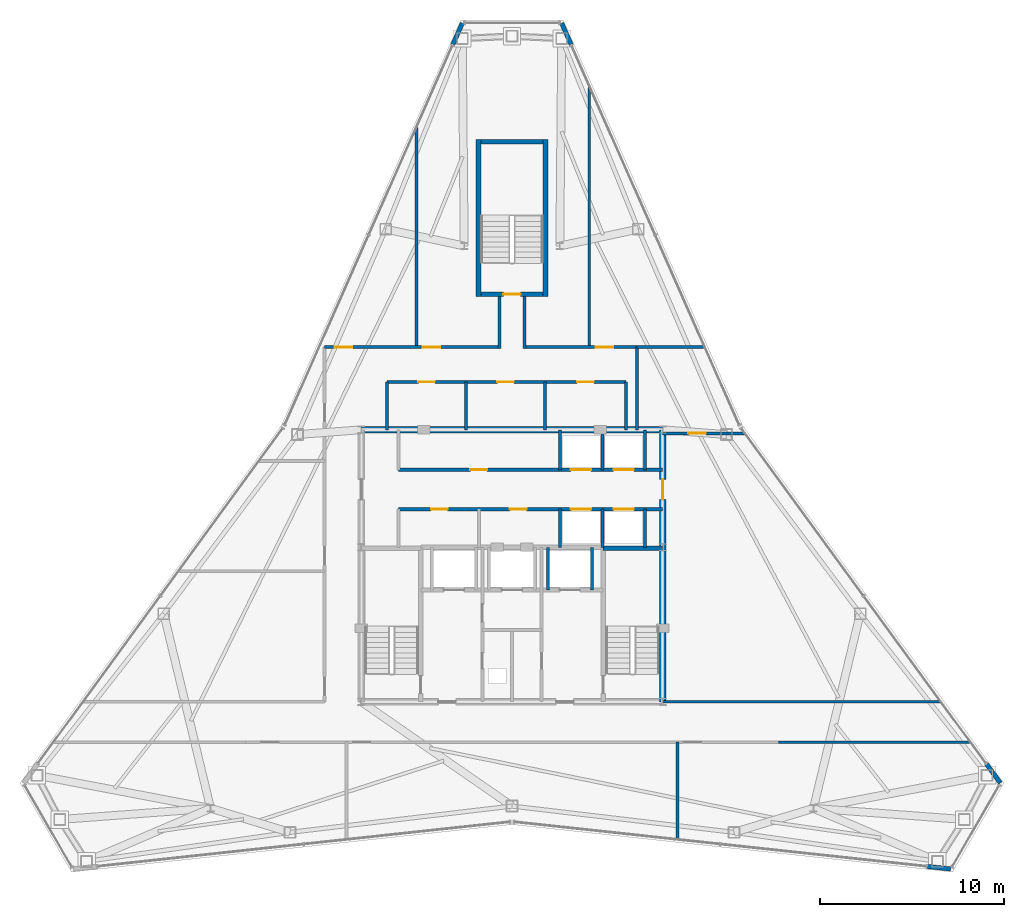
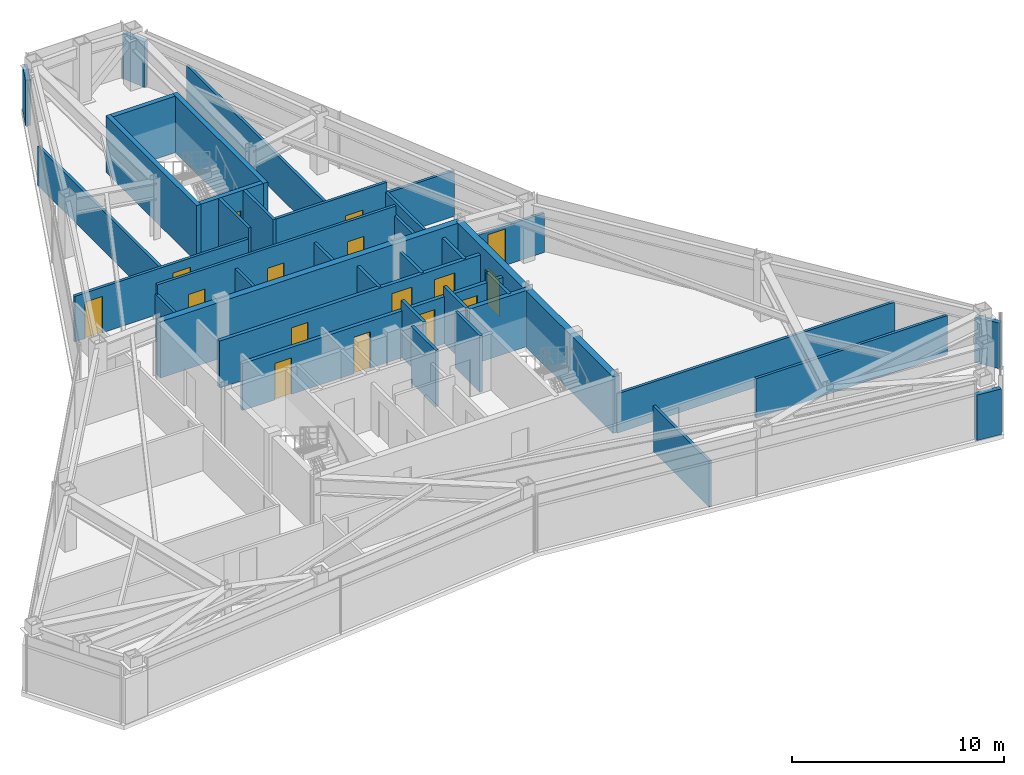
# One storey, part 10 of 12: 38 walls, 16 doors, 16 openings.
"""IFC4 building model written with IfcOpenShell, lengths in metres."""

from ifc_helpers import new_model, si_unit, direction, frame, frame_2d, origin, place, context, subcontext, project, spatial, rectangle, extrude, material, layer, layer_set, type_object, element, fill, save


model = new_model("IFC4")

# Units and contexts
model_context = context("Model", 3, precision=1e-05, world=origin(), true_north=direction((0.0, 1.0)))
body_context = subcontext(model_context, "Body", "Model", "MODEL_VIEW")
ifc_project = project(units=[si_unit("LENGTHUNIT", "METRE"), si_unit("AREAUNIT", "SQUARE_METRE"), si_unit("VOLUMEUNIT", "CUBIC_METRE"), si_unit("PLANEANGLEUNIT", "RADIAN"), si_unit("MASSUNIT", "GRAM", prefix="KILO")], contexts=[model_context])

# Site, building, storey
site_placement = place(None, origin())
site = spatial("IfcSite", under=ifc_project, at=site_placement, CompositionType="ELEMENT")
building_placement = place(site_placement, origin())
building = spatial("IfcBuilding", under=site, at=building_placement, Name="Varakhsha Concourse Tower", CompositionType="ELEMENT")
storey_placement = place(building_placement, frame((0.0, 0.0, 272.5)))
storey = spatial("IfcBuildingStorey", under=building, at=storey_placement, Name="L77", CompositionType="ELEMENT", Elevation=272.5)

# Wall
ifc_material_1 = material(Name="Concrete fc 65 MPa", Category="concrete")
ifc_layer_1 = layer(ifc_material_1, 0.35009765625, Name="WL-CORE-350")
ifc_layer_set_1 = layer_set([ifc_layer_1], Name="Concrete fc 65 MPa")
wall_type_1 = type_object("IfcWallType", Name="WL-CORE-350", PredefinedType="SHEAR", material=ifc_layer_set_1)
wall_1_placement = place(storey_placement, frame((31.800048828125, 31.199951171875, 0.0), z_axis=(0.0, 0.0, 1.0), x_axis=(1.0, 0.0, 0.0)))
element("IfcWall", 1, at=wall_1_placement, inside=storey, type_object=wall_type_1, Name="L77 Wall CWALL-N-L77", PredefinedType="SHEAR", context=body_context, shape_type="SweptSolid", body=[
    extrude(rectangle(XDim=16.39990234375, YDim=0.35009765625, at=frame_2d((8.199951171875, 0.0))), origin(), (0.0, 0.0, 1.0), 3.25),
])

# Wall, opening, door
wall_2_placement = place(storey_placement, frame((48.199951171875, 16.39990234375, 0.0), z_axis=(0.0, 0.0, 1.0), x_axis=(0.0, 1.0, 0.0)))
wall_2 = element("IfcWall", 2, at=wall_2_placement, inside=storey, type_object=wall_type_1, Name="L77 Wall CWALL-E-L77", PredefinedType="SHEAR", context=body_context, shape_type="SweptSolid", body=[
    extrude(rectangle(XDim=14.800048828125, YDim=0.35009765625, at=frame_2d((7.39990234375, 0.0))), origin(), (0.0, 0.0, 1.0), 3.25),
])
opening_1_placement = place(wall_2_placement, frame((11.0, 0.0, 0.0)))
opening_1 = element("IfcOpeningElement", 3, at=opening_1_placement, cuts=wall_2, Name="Opening DL-01", PredefinedType="OPENING", context=body_context, shape_type="SweptSolid", body=[
    extrude(rectangle(XDim=1.10009765625, YDim=2.14990234375, at=frame_2d((0.550048828125, 1.074951171875))), frame((0.0, 0.18505859375, 0.0), z_axis=(0.0, -1.0, 0.0), x_axis=(1.0, 0.0, 0.0)), (0.0, 0.0, 1.0), 0.3701171875),
])
ifc_material_2 = material(Name="Anodised Bronze Architectural Aluminium AA 6063-T6", Category="aluminium")
door_type_1 = type_object("IfcDoorType", Name="DR-LOB-1100", OperationType="NOTDEFINED", PredefinedType="DOOR", material=ifc_material_2)
door_1_placement = place(opening_1_placement, origin())
door_1 = element("IfcDoor", 4, at=door_1_placement, inside=storey, type_object=door_type_1, Name="L77 Lift Lobby East Concourse Door", OperationType="SINGLE_SWING_RIGHT", OverallHeight=2.14990234375, OverallWidth=1.10009765625, PredefinedType="DOOR", context=body_context, shape_type="SweptSolid", body=[
    extrude(rectangle(XDim=1.10009765625, YDim=2.14990234375, at=frame_2d((0.550048828125, 1.074951171875))), frame((0.0, 0.02490234375, 0.0), z_axis=(0.0, -1.0, 0.0), x_axis=(1.0, 0.0, 0.0)), (0.0, 0.0, 1.0), 0.050048828125),
])
fill(opening_1, door_1)

# Walls
ifc_material_3 = material(Name="Concrete fc 45 MPa", Category="concrete")
ifc_layer_2 = layer(ifc_material_3, 0.239990234375, Name="WL-EXT-CRN-240")
ifc_layer_set_2 = layer_set([ifc_layer_2], Name="Concrete fc 45 MPa")
wall_type_2 = type_object("IfcWallType", Name="WL-EXT-CRN-240", PredefinedType="SHEAR", material=ifc_layer_set_2)
wall_3_placement = place(storey_placement, frame((37.299072265625, 53.3251953125, 0.0), z_axis=(0.0, 0.0, 1.0), x_axis=(-0.404283482114, -0.9146337333, 0.0)))
element("IfcWall", 5, at=wall_3_placement, inside=storey, type_object=wall_type_2, Name="L77 Wind-Corner Shoulder Wall F2", PredefinedType="SHEAR", context=body_context, shape_type="SweptSolid", body=[
    extrude(rectangle(XDim=1.2705078125, YDim=0.239990234375, at=frame_2d((0.63525390625, 0.0))), origin(), (0.0, 0.0, 1.0), 2.623046875),
])
for number, where, z_axis, x_axis, name in (
    (6, (62.609619140625, 7.4345703125, 0.0), (0.0, 0.0, 1.0), (0.994223700758, -0.107327689113, 0.0), "L77 Wind-Corner Shoulder Wall F6"),
    (7, (66.572998046875, 11.977294921875, 0.0), (0.0, 0.0, 1.0), (-0.589920134733, 0.807461599481, 0.0), "L77 Wind-Corner Shoulder Wall F8"),
):
    element("IfcWall", number, at=place(storey_placement, frame(where, z_axis=z_axis, x_axis=x_axis)), inside=storey, type_object=wall_type_2, Name=name, PredefinedType="SHEAR", context=body_context, shape_type="SweptSolid", body=[
        extrude(rectangle(XDim=1.269287109375, YDim=0.239990234375, at=frame_2d((0.634765625, 0.0))), origin(), (0.0, 0.0, 1.0), 2.623046875),
    ])
wall_4_placement = place(storey_placement, frame((43.214599609375, 52.1630859375, 0.0), z_axis=(0.0, 0.0, 1.0), x_axis=(-0.404283482114, 0.9146337333, 0.0)))
element("IfcWall", 8, at=wall_4_placement, inside=storey, type_object=wall_type_2, Name="L77 Wind-Corner Shoulder Wall F9", PredefinedType="SHEAR", context=body_context, shape_type="SweptSolid", body=[
    extrude(rectangle(XDim=1.2705078125, YDim=0.239990234375, at=frame_2d((0.63525390625, 0.0))), origin(), (0.0, 0.0, 1.0), 2.623046875),
])

# Wall, openings, doors
ifc_material_4 = material(Name="Fire-Rated Type X Gypsum Partition Assembly", Category="gypsum")
ifc_layer_3 = layer(ifc_material_4, 0.14990234375, Name="WL-PART-150")
ifc_layer_set_3 = layer_set([ifc_layer_3], Name="Fire-Rated Type X Gypsum Partition Assembly")
wall_type_3 = type_object("IfcWallType", Name="WL-PART-150", PredefinedType="PARTITIONING", material=ifc_layer_set_3)
wall_5_placement = place(storey_placement, frame((33.199951171875, 33.800048828125, 0.0), z_axis=(0.0, 0.0, 1.0), x_axis=(1.0, 0.0, 0.0)))
wall_5 = element("IfcWall", 9, at=wall_5_placement, inside=storey, type_object=wall_type_3, Name="L77 Wall NBOH-N-L77", PredefinedType="PARTITIONING", context=body_context, shape_type="SweptSolid", body=[
    extrude(rectangle(XDim=13.0, YDim=0.14990234375, at=frame_2d((6.5, 0.0))), origin(), (0.0, 0.0, 1.0), 3.25),
])
opening_2_placement = place(wall_5_placement, frame((1.699951171875, 0.0, 0.0)))
opening_2 = element("IfcOpeningElement", 10, at=opening_2_placement, cuts=wall_5, Name="Opening DF-06", PredefinedType="OPENING", context=body_context, shape_type="SweptSolid", body=[
    extrude(rectangle(XDim=0.89990234375, YDim=2.10009765625, at=frame_2d((0.449951171875, 1.050048828125))), frame((0.0, 0.0849609375, 0.0), z_axis=(0.0, -1.0, 0.0), x_axis=(1.0, 0.0, 0.0)), (0.0, 0.0, 1.0), 0.169921875),
])
opening_3_placement = place(wall_5_placement, frame((6.0, 0.0, 0.0)))
opening_3 = element("IfcOpeningElement", 11, at=opening_3_placement, cuts=wall_5, Name="Opening DF-06", PredefinedType="OPENING", context=body_context, shape_type="SweptSolid", body=[
    extrude(rectangle(XDim=0.89990234375, YDim=2.10009765625, at=frame_2d((0.449951171875, 1.050048828125))), frame((0.0, 0.0849609375, 0.0), z_axis=(0.0, -1.0, 0.0), x_axis=(1.0, 0.0, 0.0)), (0.0, 0.0, 1.0), 0.169921875),
])
opening_4_placement = place(wall_5_placement, frame((10.35009765625, 0.0, 0.0)))
opening_4 = element("IfcOpeningElement", 12, at=opening_4_placement, cuts=wall_5, Name="Opening DF-06", PredefinedType="OPENING", context=body_context, shape_type="SweptSolid", body=[
    extrude(rectangle(XDim=0.89990234375, YDim=2.10009765625, at=frame_2d((0.449951171875, 1.050048828125))), frame((0.0, 0.0849609375, 0.0), z_axis=(0.0, -1.0, 0.0), x_axis=(1.0, 0.0, 0.0)), (0.0, 0.0, 1.0), 0.169921875),
])
ifc_material_5 = material(Name="Hollow Galvanised Steel Fire Door Assembly", Category="steel")
door_type_2 = type_object("IfcDoorType", Name="DR-FD60-900", OperationType="NOTDEFINED", PredefinedType="DOOR", material=ifc_material_5)
door_2_placement = place(opening_2_placement, origin())
door_2 = element("IfcDoor", 13, at=door_2_placement, inside=storey, type_object=door_type_2, Name="L77 Men Restroom WC Door", OperationType="SINGLE_SWING_LEFT", OverallHeight=2.10009765625, OverallWidth=0.89990234375, PredefinedType="DOOR", context=body_context, shape_type="SweptSolid", body=[
    extrude(rectangle(XDim=0.89990234375, YDim=2.10009765625, at=frame_2d((0.449951171875, 1.050048828125))), frame((0.0, 0.02490234375, 0.0), z_axis=(0.0, -1.0, 0.0), x_axis=(1.0, 0.0, 0.0)), (0.0, 0.0, 1.0), 0.050048828125),
])
fill(opening_2, door_2)
door_3_placement = place(opening_3_placement, origin())
door_3 = element("IfcDoor", 14, at=door_3_placement, inside=storey, type_object=door_type_2, Name="L77 Women Restroom WC Door", OperationType="SINGLE_SWING_RIGHT", OverallHeight=2.10009765625, OverallWidth=0.89990234375, PredefinedType="DOOR", context=body_context, shape_type="SweptSolid", body=[
    extrude(rectangle(XDim=0.89990234375, YDim=2.10009765625, at=frame_2d((0.449951171875, 1.050048828125))), frame((0.0, 0.02490234375, 0.0), z_axis=(0.0, -1.0, 0.0), x_axis=(1.0, 0.0, 0.0)), (0.0, 0.0, 1.0), 0.050048828125),
])
fill(opening_3, door_3)
door_4_placement = place(opening_4_placement, origin())
door_4 = element("IfcDoor", 15, at=door_4_placement, inside=storey, type_object=door_type_2, Name="L77 Accessible WC Door", OperationType="SINGLE_SWING_LEFT", OverallHeight=2.10009765625, OverallWidth=0.89990234375, PredefinedType="DOOR", context=body_context, shape_type="SweptSolid", body=[
    extrude(rectangle(XDim=0.89990234375, YDim=2.10009765625, at=frame_2d((0.449951171875, 1.050048828125))), frame((0.0, 0.02490234375, 0.0), z_axis=(0.0, -1.0, 0.0), x_axis=(1.0, 0.0, 0.0)), (0.0, 0.0, 1.0), 0.050048828125),
])
fill(opening_4, door_4)

# Walls
for number, where, z_axis, x_axis, name in (
    (16, (33.199951171875, 31.199951171875, 0.0), (0.0, 0.0, 1.0), (0.0, 1.0, 0.0), "L77 Wall NBOH-W-L77"),
    (17, (46.199951171875, 31.199951171875, 0.0), (0.0, 0.0, 1.0), (0.0, 1.0, 0.0), "L77 Wall NBOH-E-L77"),
    (18, (37.5, 31.199951171875, 0.0), (0.0, 0.0, 1.0), (0.0, 1.0, 0.0), "L77 Wall NBOH-D1-L77"),
    (19, (41.800048828125, 31.199951171875, 0.0), (0.0, 0.0, 1.0), (0.0, 1.0, 0.0), "L77 Wall NBOH-D2-L77"),
):
    element("IfcWall", number, at=place(storey_placement, frame(where, z_axis=z_axis, x_axis=x_axis)), inside=storey, type_object=wall_type_3, Name=name, PredefinedType="PARTITIONING", context=body_context, shape_type="SweptSolid", body=[
        extrude(rectangle(XDim=2.60009765625, YDim=0.14990234375, at=frame_2d((1.300048828125, 0.0))), origin(), (0.0, 0.0, 1.0), 2.705078125),
    ])
wall_6_placement = place(storey_placement, frame((54.5, 14.199951171875, 0.0), z_axis=(0.0, 0.0, 1.0), x_axis=(1.0, 0.0, 0.0)))
element("IfcWall", 20, at=wall_6_placement, inside=storey, type_object=wall_type_3, Name="L77 Wall CRW-SGAL-SE-L77", PredefinedType="PARTITIONING", context=body_context, shape_type="SweptSolid", body=[
    extrude(rectangle(XDim=10.44287109375, YDim=0.14990234375, at=frame_2d((5.221435546875, 0.0))), origin(), (0.0, 0.0, 1.0), 2.264892578125),
])
wall_7_placement = place(storey_placement, frame((48.199951171875, 16.39990234375, 0.0), z_axis=(0.0, 0.0, 1.0), x_axis=(1.0, 0.0, 0.0)))
element("IfcWall", 21, at=wall_7_placement, inside=storey, type_object=wall_type_3, Name="L77 Wall CRW-SGAL-NE-L77", PredefinedType="PARTITIONING", context=body_context, shape_type="SweptSolid", body=[
    extrude(rectangle(XDim=15.135498046875, YDim=0.14990234375, at=frame_2d((7.56787109375, 0.0))), origin(), (0.0, 0.0, 1.0), 2.264892578125),
])

# Wall, openings, doors
wall_8_placement = place(storey_placement, frame((29.800048828125, 35.699951171875, 0.0), z_axis=(0.0, 0.0, 1.0), x_axis=(1.0, 0.0, 0.0)))
wall_8 = element("IfcWall", 22, at=wall_8_placement, inside=storey, type_object=wall_type_3, Name="L77 Wall CRW-N-L77", PredefinedType="PARTITIONING", context=body_context, shape_type="SweptSolid", body=[
    extrude(rectangle(XDim=9.449951171875, YDim=0.14990234375, at=frame_2d((4.72509765625, 0.0))), origin(), (0.0, 0.0, 1.0), 2.6279296875),
])
opening_5_placement = place(wall_8_placement, frame((0.550048828125, 0.0, 0.0)))
opening_5 = element("IfcOpeningElement", 23, at=opening_5_placement, cuts=wall_8, Name="Opening DF-05", PredefinedType="OPENING", context=body_context, shape_type="SweptSolid", body=[
    extrude(rectangle(XDim=0.949951171875, YDim=2.10009765625, at=frame_2d((0.47509765625, 1.050048828125))), frame((0.0, 0.0849609375, 0.0), z_axis=(0.0, -1.0, 0.0), x_axis=(1.0, 0.0, 0.0)), (0.0, 0.0, 1.0), 0.169921875),
])
opening_6_placement = place(wall_8_placement, frame((5.35009765625, 0.0, 0.0)))
opening_6 = element("IfcOpeningElement", 24, at=opening_6_placement, cuts=wall_8, Name="Opening DF-05", PredefinedType="OPENING", context=body_context, shape_type="SweptSolid", body=[
    extrude(rectangle(XDim=0.949951171875, YDim=2.10009765625, at=frame_2d((0.47509765625, 1.050048828125))), frame((0.0, 0.0849609375, 0.0), z_axis=(0.0, -1.0, 0.0), x_axis=(1.0, 0.0, 0.0)), (0.0, 0.0, 1.0), 0.169921875),
])
door_type_3 = type_object("IfcDoorType", Name="DR-FD60-950", OperationType="NOTDEFINED", PredefinedType="DOOR", material=ifc_material_5)
door_5_placement = place(opening_5_placement, origin())
door_5 = element("IfcDoor", 25, at=door_5_placement, inside=storey, type_object=door_type_3, Name="L77 Mountain View Deposition Conference Room L77-N1 Door", OperationType="SINGLE_SWING_LEFT", OverallHeight=2.10009765625, OverallWidth=0.949951171875, PredefinedType="DOOR", context=body_context, shape_type="SweptSolid", body=[
    extrude(rectangle(XDim=0.949951171875, YDim=2.10009765625, at=frame_2d((0.47509765625, 1.050048828125))), frame((0.0, 0.02490234375, 0.0), z_axis=(0.0, -1.0, 0.0), x_axis=(1.0, 0.0, 0.0)), (0.0, 0.0, 1.0), 0.050048828125),
])
fill(opening_5, door_5)
door_6_placement = place(opening_6_placement, origin())
door_6 = element("IfcDoor", 26, at=door_6_placement, inside=storey, type_object=door_type_3, Name="L77 North Senior Partner Chamber L77-N2 Door", OperationType="SINGLE_SWING_RIGHT", OverallHeight=2.10009765625, OverallWidth=0.949951171875, PredefinedType="DOOR", context=body_context, shape_type="SweptSolid", body=[
    extrude(rectangle(XDim=0.949951171875, YDim=2.10009765625, at=frame_2d((0.47509765625, 1.050048828125))), frame((0.0, 0.02490234375, 0.0), z_axis=(0.0, -1.0, 0.0), x_axis=(1.0, 0.0, 0.0)), (0.0, 0.0, 1.0), 0.050048828125),
])
fill(opening_6, door_6)

# Wall, opening, door
wall_9_placement = place(storey_placement, frame((40.75, 35.699951171875, 0.0), z_axis=(0.0, 0.0, 1.0), x_axis=(1.0, 0.0, 0.0)))
wall_9 = element("IfcWall", 27, at=wall_9_placement, inside=storey, type_object=wall_type_3, Name="L77 Wall CRW-N-L77-B", PredefinedType="PARTITIONING", context=body_context, shape_type="SweptSolid", body=[
    extrude(rectangle(XDim=6.050048828125, YDim=0.14990234375, at=frame_2d((3.02490234375, 0.0))), origin(), (0.0, 0.0, 1.0), 3.25),
])
opening_7_placement = place(wall_9_placement, frame((3.800048828125, 0.0, 0.0)))
opening_7 = element("IfcOpeningElement", 28, at=opening_7_placement, cuts=wall_9, Name="Opening DF-05", PredefinedType="OPENING", context=body_context, shape_type="SweptSolid", body=[
    extrude(rectangle(XDim=0.949951171875, YDim=2.10009765625, at=frame_2d((0.47509765625, 1.050048828125))), frame((0.0, 0.0849609375, 0.0), z_axis=(0.0, -1.0, 0.0), x_axis=(1.0, 0.0, 0.0)), (0.0, 0.0, 1.0), 0.169921875),
])
door_7_placement = place(opening_7_placement, origin())
door_7 = element("IfcDoor", 29, at=door_7_placement, inside=storey, type_object=door_type_3, Name="L77 North Senior Partner Chamber L77-N3 Door", OperationType="SINGLE_SWING_LEFT", OverallHeight=2.10009765625, OverallWidth=0.949951171875, PredefinedType="DOOR", context=body_context, shape_type="SweptSolid", body=[
    extrude(rectangle(XDim=0.949951171875, YDim=2.10009765625, at=frame_2d((0.47509765625, 1.050048828125))), frame((0.0, 0.02490234375, 0.0), z_axis=(0.0, -1.0, 0.0), x_axis=(1.0, 0.0, 0.0)), (0.0, 0.0, 1.0), 0.050048828125),
])
fill(opening_7, door_7)

# Walls
wall_10_placement = place(storey_placement, frame((46.800048828125, 31.199951171875, 0.0), z_axis=(0.0, 0.0, 1.0), x_axis=(0.0, 1.0, 0.0)))
element("IfcWall", 30, at=wall_10_placement, inside=storey, type_object=wall_type_3, Name="L77 Wall CRW-NE-L77", PredefinedType="PARTITIONING", context=body_context, shape_type="SweptSolid", body=[
    extrude(rectangle(XDim=4.5, YDim=0.14990234375, at=frame_2d((2.25, 0.0))), origin(), (0.0, 0.0, 1.0), 2.705078125),
])
wall_11_placement = place(storey_placement, frame((49.0, 8.906982421875, 0.0), z_axis=(0.0, 0.0, 1.0), x_axis=(0.0, 1.0, 0.0)))
element("IfcWall", 31, at=wall_11_placement, inside=storey, type_object=wall_type_3, Name="L77 Wall ODIV-S2-L77", PredefinedType="PARTITIONING", context=body_context, shape_type="SweptSolid", body=[
    extrude(rectangle(XDim=5.29296875, YDim=0.14990234375, at=frame_2d((2.646484375, 0.0))), origin(), (0.0, 0.0, 1.0), 2.6279296875),
])
wall_12_placement = place(storey_placement, frame((46.800048828125, 35.699951171875, 0.0), z_axis=(0.0, 0.0, 1.0), x_axis=(1.0, 0.0, 0.0)))
element("IfcWall", 32, at=wall_12_placement, inside=storey, type_object=wall_type_3, Name="L77 Wall ODIV-EBN-L77", PredefinedType="PARTITIONING", context=body_context, shape_type="SweptSolid", body=[
    extrude(rectangle(XDim=3.685791015625, YDim=0.14990234375, at=frame_2d((1.8427734375, 0.0))), origin(), (0.0, 0.0, 1.0), 2.6279296875),
])

# Wall, opening, door
wall_13_placement = place(storey_placement, frame((48.199951171875, 31.0, 0.0), z_axis=(0.0, 0.0, 1.0), x_axis=(1.0, 0.0, 0.0)))
wall_13 = element("IfcWall", 33, at=wall_13_placement, inside=storey, type_object=wall_type_3, Name="L77 Wall ODIV-E1-L77", PredefinedType="PARTITIONING", context=body_context, shape_type="SweptSolid", body=[
    extrude(rectangle(XDim=4.467529296875, YDim=0.14990234375, at=frame_2d((2.23388671875, 0.0))), origin(), (0.0, 0.0, 1.0), 2.264892578125),
])
opening_8_placement = place(wall_13_placement, frame((1.39990234375, 0.0, 0.0)))
opening_8 = element("IfcOpeningElement", 34, at=opening_8_placement, cuts=wall_13, Name="Opening DF-05", PredefinedType="OPENING", context=body_context, shape_type="SweptSolid", body=[
    extrude(rectangle(XDim=0.949951171875, YDim=2.10009765625, at=frame_2d((0.47509765625, 1.050048828125))), frame((0.0, 0.0849609375, 0.0), z_axis=(0.0, -1.0, 0.0), x_axis=(1.0, 0.0, 0.0)), (0.0, 0.0, 1.0), 0.169921875),
])
door_8_placement = place(opening_8_placement, origin())
door_8 = element("IfcDoor", 35, at=door_8_placement, inside=storey, type_object=door_type_3, Name="L77 East Suite Interconnect Door 1", OperationType="SINGLE_SWING_LEFT", OverallHeight=2.10009765625, OverallWidth=0.949951171875, PredefinedType="DOOR", context=body_context, shape_type="SweptSolid", body=[
    extrude(rectangle(XDim=0.949951171875, YDim=2.10009765625, at=frame_2d((0.47509765625, 1.050048828125))), frame((0.0, 0.02490234375, 0.0), z_axis=(0.0, -1.0, 0.0), x_axis=(1.0, 0.0, 0.0)), (0.0, 0.0, 1.0), 0.050048828125),
])
fill(opening_8, door_8)

# Walls
wall_14_placement = place(storey_placement, frame((34.800048828125, 35.699951171875, 0.0), z_axis=(0.0, 0.0, 1.0), x_axis=(0.0, 1.0, 0.0)))
element("IfcWall", 36, at=wall_14_placement, inside=storey, type_object=wall_type_3, Name="L77 Wall ODIV-N1-L77", PredefinedType="PARTITIONING", context=body_context, shape_type="SweptSolid", body=[
    extrude(rectangle(XDim=11.958984375, YDim=0.14990234375, at=frame_2d((5.9794921875, 0.0))), origin(), (0.0, 0.0, 1.0), 2.264892578125),
])
wall_15_placement = place(storey_placement, frame((44.199951171875, 35.699951171875, 0.0), z_axis=(0.0, 0.0, 1.0), x_axis=(0.0, 1.0, 0.0)))
element("IfcWall", 37, at=wall_15_placement, inside=storey, type_object=wall_type_3, Name="L77 Wall ODIV-N2-L77", PredefinedType="PARTITIONING", context=body_context, shape_type="SweptSolid", body=[
    extrude(rectangle(XDim=14.221435546875, YDim=0.14990234375, at=frame_2d((7.11083984375, 0.0))), origin(), (0.0, 0.0, 1.0), 2.264892578125),
])
for number, where, z_axis, x_axis, name in (
    (38, (39.324951171875, 35.625, 0.0), (0.0, 0.0, 1.0), (0.0, 1.0, 0.0), "L77 Wall STUB-W-L77"),
    (39, (40.675048828125, 35.625, 0.0), (0.0, 0.0, 1.0), (0.0, 1.0, 0.0), "L77 Wall STUB-E-L77"),
):
    element("IfcWall", number, at=place(storey_placement, frame(where, z_axis=z_axis, x_axis=x_axis)), inside=storey, type_object=wall_type_3, Name=name, PredefinedType="PARTITIONING", context=body_context, shape_type="SweptSolid", body=[
        extrude(rectangle(XDim=2.824951171875, YDim=0.14990234375, at=frame_2d((1.41259765625, 0.0))), origin(), (0.0, 0.0, 1.0), 3.25),
    ])
ifc_layer_4 = layer(ifc_material_4, 0.199951171875, Name="WL-SHAFT-220")
ifc_layer_set_4 = layer_set([ifc_layer_4], Name="Fire-Rated Type X Gypsum Partition Assembly")
wall_type_4 = type_object("IfcWallType", Name="WL-SHAFT-220", PredefinedType="SOLIDWALL", material=ifc_layer_set_4)
for number, where, z_axis, x_axis, name in (
    (40, (41.949951171875, 22.47998046875, 0.0), (0.0, 0.0, 1.0), (0.0, 1.0, 0.0), "L77 Wall SHW-FFL-2-W-L77"),
    (41, (44.35009765625, 22.47998046875, 0.0), (0.0, 0.0, 1.0), (0.0, 1.0, 0.0), "L77 Wall SHW-FFL-2-E-L77"),
):
    element("IfcWall", number, at=place(storey_placement, frame(where, z_axis=z_axis, x_axis=x_axis)), inside=storey, type_object=wall_type_4, Name=name, PredefinedType="SOLIDWALL", context=body_context, shape_type="SweptSolid", body=[
        extrude(rectangle(XDim=2.320068359375, YDim=0.159912109375, at=frame_2d((1.16015625, 0.0))), origin(), (0.0, 0.0, 1.0), 3.25),
    ])

# Wall, openings, doors
wall_16_placement = place(storey_placement, frame((33.820068359375, 29.02001953125, 0.0), z_axis=(0.0, 0.0, 1.0), x_axis=(1.0, 0.0, 0.0)))
wall_16 = element("IfcWall", 42, at=wall_16_placement, inside=storey, type_object=wall_type_4, Name="L77 Wall PLW-N-L77", PredefinedType="SOLIDWALL", context=body_context, shape_type="SweptSolid", body=[
    extrude(rectangle(XDim=14.3798828125, YDim=0.199951171875, at=frame_2d((7.18994140625, 0.0))), origin(), (0.0, 0.0, 1.0), 2.705078125),
])
opening_9_placement = place(wall_16_placement, frame((3.919921875, 0.0, 0.0)))
opening_9 = element("IfcOpeningElement", 43, at=opening_9_placement, cuts=wall_16, Name="Opening DF-06", PredefinedType="OPENING", context=body_context, shape_type="SweptSolid", body=[
    extrude(rectangle(XDim=0.89990234375, YDim=2.10009765625, at=frame_2d((0.449951171875, 1.050048828125))), frame((0.0, 0.10986328125, 0.0), z_axis=(0.0, -1.0, 0.0), x_axis=(1.0, 0.0, 0.0)), (0.0, 0.0, 1.0), 0.219970703125),
])
opening_10_placement = place(wall_16_placement, frame((9.389892578125, 0.0, 0.0)))
opening_10 = element("IfcOpeningElement", 44, at=opening_10_placement, cuts=wall_16, Name="Opening LD-LF-P09", PredefinedType="OPENING", context=body_context, shape_type="SweptSolid", body=[
    extrude(rectangle(XDim=1.10009765625, YDim=2.14990234375, at=frame_2d((0.550048828125, 1.074951171875))), frame((0.0, 0.10986328125, 0.0), z_axis=(0.0, -1.0, 0.0), x_axis=(1.0, 0.0, 0.0)), (0.0, 0.0, 1.0), 0.219970703125),
])
opening_11_placement = place(wall_16_placement, frame((11.7099609375, 0.0, 0.0)))
opening_11 = element("IfcOpeningElement", 45, at=opening_11_placement, cuts=wall_16, Name="Opening LD-LF-P10", PredefinedType="OPENING", context=body_context, shape_type="SweptSolid", body=[
    extrude(rectangle(XDim=1.10009765625, YDim=2.14990234375, at=frame_2d((0.550048828125, 1.074951171875))), frame((0.0, 0.10986328125, 0.0), z_axis=(0.0, -1.0, 0.0), x_axis=(1.0, 0.0, 0.0)), (0.0, 0.0, 1.0), 0.219970703125),
])
door_9_placement = place(opening_9_placement, origin())
door_9 = element("IfcDoor", 46, at=door_9_placement, inside=storey, type_object=door_type_2, Name="L77 Tenant Archive and IT Server Room Door", OperationType="SINGLE_SWING_LEFT", OverallHeight=2.10009765625, OverallWidth=0.89990234375, PredefinedType="DOOR", context=body_context, shape_type="SweptSolid", body=[
    extrude(rectangle(XDim=0.89990234375, YDim=2.10009765625, at=frame_2d((0.449951171875, 1.050048828125))), frame((0.0, 0.02490234375, 0.0), z_axis=(0.0, -1.0, 0.0), x_axis=(1.0, 0.0, 0.0)), (0.0, 0.0, 1.0), 0.050048828125),
])
fill(opening_9, door_9)
ifc_material_6 = material(Name="Brushed Austenitic Stainless Steel AISI 316", Category="steel")
door_type_4 = type_object("IfcDoorType", Name="DR-LD-1100", OperationType="DOUBLE_DOOR_SLIDING", PredefinedType="DOOR", material=ifc_material_6)
door_10_placement = place(opening_10_placement, origin())
door_10 = element("IfcDoor", 47, at=door_10_placement, inside=storey, type_object=door_type_4, Name="Lift Landing Door LF-P09 L77", OperationType="DOUBLE_DOOR_SLIDING", OverallHeight=2.14990234375, OverallWidth=1.10009765625, PredefinedType="DOOR", context=body_context, shape_type="SweptSolid", body=[
    extrude(rectangle(XDim=1.10009765625, YDim=2.14990234375, at=frame_2d((0.550048828125, 1.074951171875))), frame((0.0, 0.02490234375, 0.0), z_axis=(0.0, -1.0, 0.0), x_axis=(1.0, 0.0, 0.0)), (0.0, 0.0, 1.0), 0.050048828125),
])
fill(opening_10, door_10)
door_11_placement = place(opening_11_placement, origin())
door_11 = element("IfcDoor", 48, at=door_11_placement, inside=storey, type_object=door_type_4, Name="Lift Landing Door LF-P10 L77", OperationType="DOUBLE_DOOR_SLIDING", OverallHeight=2.14990234375, OverallWidth=1.10009765625, PredefinedType="DOOR", context=body_context, shape_type="SweptSolid", body=[
    extrude(rectangle(XDim=1.10009765625, YDim=2.14990234375, at=frame_2d((0.550048828125, 1.074951171875))), frame((0.0, 0.02490234375, 0.0), z_axis=(0.0, -1.0, 0.0), x_axis=(1.0, 0.0, 0.0)), (0.0, 0.0, 1.0), 0.050048828125),
])
fill(opening_11, door_11)

wall_17_placement = place(storey_placement, frame((33.820068359375, 26.8798828125, 0.0), z_axis=(0.0, 0.0, 1.0), x_axis=(1.0, 0.0, 0.0)))
wall_17 = element("IfcWall", 49, at=wall_17_placement, inside=storey, type_object=wall_type_4, Name="L77 Wall PLW-S-L77", PredefinedType="SOLIDWALL", context=body_context, shape_type="SweptSolid", body=[
    extrude(rectangle(XDim=14.3798828125, YDim=0.199951171875, at=frame_2d((7.18994140625, 0.0))), origin(), (0.0, 0.0, 1.0), 2.705078125),
])
opening_12_placement = place(wall_17_placement, frame((1.780029296875, 0.0, 0.0)))
opening_12 = element("IfcOpeningElement", 50, at=opening_12_placement, cuts=wall_17, Name="Opening DF-06", PredefinedType="OPENING", context=body_context, shape_type="SweptSolid", body=[
    extrude(rectangle(XDim=0.89990234375, YDim=2.10009765625, at=frame_2d((0.449951171875, 1.050048828125))), frame((0.0, 0.10986328125, 0.0), z_axis=(0.0, -1.0, 0.0), x_axis=(1.0, 0.0, 0.0)), (0.0, 0.0, 1.0), 0.219970703125),
])
opening_13_placement = place(wall_17_placement, frame((6.070068359375, 0.0, 0.0)))
opening_13 = element("IfcOpeningElement", 51, at=opening_13_placement, cuts=wall_17, Name="Opening DF-06", PredefinedType="OPENING", context=body_context, shape_type="SweptSolid", body=[
    extrude(rectangle(XDim=0.89990234375, YDim=2.10009765625, at=frame_2d((0.449951171875, 1.050048828125))), frame((0.0, 0.10986328125, 0.0), z_axis=(0.0, -1.0, 0.0), x_axis=(1.0, 0.0, 0.0)), (0.0, 0.0, 1.0), 0.219970703125),
])
opening_14_placement = place(wall_17_placement, frame((9.389892578125, 0.0, 0.0)))
opening_14 = element("IfcOpeningElement", 52, at=opening_14_placement, cuts=wall_17, Name="Opening LD-LF-P11", PredefinedType="OPENING", context=body_context, shape_type="SweptSolid", body=[
    extrude(rectangle(XDim=1.10009765625, YDim=2.14990234375, at=frame_2d((0.550048828125, 1.074951171875))), frame((0.0, 0.10986328125, 0.0), z_axis=(0.0, -1.0, 0.0), x_axis=(1.0, 0.0, 0.0)), (0.0, 0.0, 1.0), 0.219970703125),
])
opening_15_placement = place(wall_17_placement, frame((11.7099609375, 0.0, 0.0)))
opening_15 = element("IfcOpeningElement", 53, at=opening_15_placement, cuts=wall_17, Name="Opening LD-LF-P12", PredefinedType="OPENING", context=body_context, shape_type="SweptSolid", body=[
    extrude(rectangle(XDim=1.10009765625, YDim=2.14990234375, at=frame_2d((0.550048828125, 1.074951171875))), frame((0.0, 0.10986328125, 0.0), z_axis=(0.0, -1.0, 0.0), x_axis=(1.0, 0.0, 0.0)), (0.0, 0.0, 1.0), 0.219970703125),
])
door_12_placement = place(opening_12_placement, origin())
door_12 = element("IfcDoor", 54, at=door_12_placement, inside=storey, type_object=door_type_2, Name="L77 Executive Pantry and Copy Suite Door", OperationType="SINGLE_SWING_RIGHT", OverallHeight=2.10009765625, OverallWidth=0.89990234375, PredefinedType="DOOR", context=body_context, shape_type="SweptSolid", body=[
    extrude(rectangle(XDim=0.89990234375, YDim=2.10009765625, at=frame_2d((0.449951171875, 1.050048828125))), frame((0.0, 0.02490234375, 0.0), z_axis=(0.0, -1.0, 0.0), x_axis=(1.0, 0.0, 0.0)), (0.0, 0.0, 1.0), 0.050048828125),
])
fill(opening_12, door_12)
door_13_placement = place(opening_13_placement, origin())
door_13 = element("IfcDoor", 55, at=door_13_placement, inside=storey, type_object=door_type_2, Name="L77 Core Supply Closet S1 Door", OperationType="SINGLE_SWING_LEFT", OverallHeight=2.10009765625, OverallWidth=0.89990234375, PredefinedType="DOOR", context=body_context, shape_type="SweptSolid", body=[
    extrude(rectangle(XDim=0.89990234375, YDim=2.10009765625, at=frame_2d((0.449951171875, 1.050048828125))), frame((0.0, 0.02490234375, 0.0), z_axis=(0.0, -1.0, 0.0), x_axis=(1.0, 0.0, 0.0)), (0.0, 0.0, 1.0), 0.050048828125),
])
fill(opening_13, door_13)
door_14_placement = place(opening_14_placement, origin())
door_14 = element("IfcDoor", 56, at=door_14_placement, inside=storey, type_object=door_type_4, Name="Lift Landing Door LF-P11 L77", OperationType="DOUBLE_DOOR_SLIDING", OverallHeight=2.14990234375, OverallWidth=1.10009765625, PredefinedType="DOOR", context=body_context, shape_type="SweptSolid", body=[
    extrude(rectangle(XDim=1.10009765625, YDim=2.14990234375, at=frame_2d((0.550048828125, 1.074951171875))), frame((0.0, 0.02490234375, 0.0), z_axis=(0.0, -1.0, 0.0), x_axis=(1.0, 0.0, 0.0)), (0.0, 0.0, 1.0), 0.050048828125),
])
fill(opening_14, door_14)
door_15_placement = place(opening_15_placement, origin())
door_15 = element("IfcDoor", 57, at=door_15_placement, inside=storey, type_object=door_type_4, Name="Lift Landing Door LF-P12 L77", OperationType="DOUBLE_DOOR_SLIDING", OverallHeight=2.14990234375, OverallWidth=1.10009765625, PredefinedType="DOOR", context=body_context, shape_type="SweptSolid", body=[
    extrude(rectangle(XDim=1.10009765625, YDim=2.14990234375, at=frame_2d((0.550048828125, 1.074951171875))), frame((0.0, 0.02490234375, 0.0), z_axis=(0.0, -1.0, 0.0), x_axis=(1.0, 0.0, 0.0)), (0.0, 0.0, 1.0), 0.050048828125),
])
fill(opening_15, door_15)

# Walls
for number, where, z_axis, x_axis, name in (
    (58, (42.60009765625, 29.02001953125, 0.0), (0.0, 0.0, 1.0), (0.0, 1.0, 0.0), "L77 Wall SHW-LF-P09-W-L77"),
    (59, (44.919921875, 29.02001953125, 0.0), (0.0, 0.0, 1.0), (0.0, 1.0, 0.0), "L77 Wall SHW-LF-P09-E-L77"),
    (60, (47.239990234375, 29.02001953125, 0.0), (0.0, 0.0, 1.0), (0.0, 1.0, 0.0), "L77 Wall SHW-LF-P10-E-L77"),
):
    element("IfcWall", number, at=place(storey_placement, frame(where, z_axis=z_axis, x_axis=x_axis)), inside=storey, type_object=wall_type_4, Name=name, PredefinedType="SOLIDWALL", context=body_context, shape_type="SweptSolid", body=[
        extrude(rectangle(XDim=2.179931640625, YDim=0.159912109375, at=frame_2d((1.08984375, 0.0))), origin(), (0.0, 0.0, 1.0), 2.705078125),
    ])
for number, where, z_axis, x_axis, name in (
    (61, (42.60009765625, 24.800048828125, 0.0), (0.0, 0.0, 1.0), (0.0, 1.0, 0.0), "L77 Wall SHW-LF-P11-W-L77"),
    (62, (44.919921875, 24.800048828125, 0.0), (0.0, 0.0, 1.0), (0.0, 1.0, 0.0), "L77 Wall SHW-LF-P11-E-L77"),
    (63, (47.239990234375, 24.800048828125, 0.0), (0.0, 0.0, 1.0), (0.0, 1.0, 0.0), "L77 Wall SHW-LF-P12-E-L77"),
):
    element("IfcWall", number, at=place(storey_placement, frame(where, z_axis=z_axis, x_axis=x_axis)), inside=storey, type_object=wall_type_4, Name=name, PredefinedType="SOLIDWALL", context=body_context, shape_type="SweptSolid", body=[
        extrude(rectangle(XDim=2.079833984375, YDim=0.159912109375, at=frame_2d((1.0400390625, 0.0))), origin(), (0.0, 0.0, 1.0), 3.25),
    ])
ifc_layer_5 = layer(ifc_material_3, 0.25, Name="WL-STAIR-250")
ifc_layer_set_5 = layer_set([ifc_layer_5], Name="Concrete fc 45 MPa")
wall_type_5 = type_object("IfcWallType", Name="WL-STAIR-250", PredefinedType="SHEAR", material=ifc_layer_set_5)
wall_18_placement = place(storey_placement, frame((44.955078125, 24.7548828125, 0.0), z_axis=(0.0, 0.0, 1.0), x_axis=(1.0, 0.0, 0.0)))
element("IfcWall", 64, at=wall_18_placement, inside=storey, type_object=wall_type_5, Name="L77 Wall SWALL-ST2-N-L77", PredefinedType="SHEAR", context=body_context, shape_type="SweptSolid", body=[
    extrude(rectangle(XDim=3.244873046875, YDim=0.25, at=frame_2d((1.62255859375, 0.0))), origin(), (0.0, 0.0, 1.0), 3.25),
])
for number, where, z_axis, x_axis, name in (
    (65, (38.175048828125, 38.449951171875, 0.0), (0.0, 0.0, 1.0), (0.0, 1.0, 0.0), "L77 Wall SWALL-ST5-W-L77"),
    (66, (41.824951171875, 38.449951171875, 0.0), (0.0, 0.0, 1.0), (0.0, 1.0, 0.0), "L77 Wall SWALL-ST5-E-L77"),
):
    element("IfcWall", number, at=place(storey_placement, frame(where, z_axis=z_axis, x_axis=x_axis)), inside=storey, type_object=wall_type_5, Name=name, PredefinedType="SHEAR", context=body_context, shape_type="SweptSolid", body=[
        extrude(rectangle(XDim=8.550048828125, YDim=0.25, at=frame_2d((4.27490234375, 0.0))), origin(), (0.0, 0.0, 1.0), 3.25),
    ])

# Wall, opening, door
wall_19_placement = place(storey_placement, frame((38.300048828125, 38.574951171875, 0.0), z_axis=(0.0, 0.0, 1.0), x_axis=(1.0, 0.0, 0.0)))
wall_19 = element("IfcWall", 67, at=wall_19_placement, inside=storey, type_object=wall_type_5, Name="L77 Wall SWALL-ST5-S-L77", PredefinedType="SHEAR", context=body_context, shape_type="SweptSolid", body=[
    extrude(rectangle(XDim=3.39990234375, YDim=0.25, at=frame_2d((1.699951171875, 0.0))), origin(), (0.0, 0.0, 1.0), 3.25),
])
opening_16_placement = place(wall_19_placement, frame((1.22509765625, 0.0, 0.0)))
opening_16 = element("IfcOpeningElement", 68, at=opening_16_placement, cuts=wall_19, Name="Opening DF-03", PredefinedType="OPENING", context=body_context, shape_type="SweptSolid", body=[
    extrude(rectangle(XDim=0.949951171875, YDim=2.10009765625, at=frame_2d((0.47509765625, 1.050048828125))), frame((0.0, 0.135009765625, 0.0), z_axis=(0.0, -1.0, 0.0), x_axis=(1.0, 0.0, 0.0)), (0.0, 0.0, 1.0), 0.27001953125),
])
door_type_5 = type_object("IfcDoorType", Name="DR-FD90-950", OperationType="NOTDEFINED", PredefinedType="DOOR", material=ifc_material_5)
door_16_placement = place(opening_16_placement, origin())
door_16 = element("IfcDoor", 69, at=door_16_placement, inside=storey, type_object=door_type_5, Name="L77 Stair ST5 Fire Door", OperationType="SINGLE_SWING_RIGHT", OverallHeight=2.10009765625, OverallWidth=0.949951171875, PredefinedType="DOOR", context=body_context, shape_type="SweptSolid", body=[
    extrude(rectangle(XDim=0.949951171875, YDim=2.10009765625, at=frame_2d((0.47509765625, 1.050048828125))), frame((0.0, 0.02490234375, 0.0), z_axis=(0.0, -1.0, 0.0), x_axis=(1.0, 0.0, 0.0)), (0.0, 0.0, 1.0), 0.050048828125),
])
fill(opening_16, door_16)

# Wall
wall_20_placement = place(storey_placement, frame((38.300048828125, 46.875, 0.0), z_axis=(0.0, 0.0, 1.0), x_axis=(1.0, 0.0, 0.0)))
element("IfcWall", 70, at=wall_20_placement, inside=storey, type_object=wall_type_5, Name="L77 Wall SWALL-ST5-N-L77", PredefinedType="SHEAR", context=body_context, shape_type="SweptSolid", body=[
    extrude(rectangle(XDim=3.39990234375, YDim=0.25, at=frame_2d((1.699951171875, 0.0))), origin(), (0.0, 0.0, 1.0), 3.25),
])

save(model, "model.ifc")
